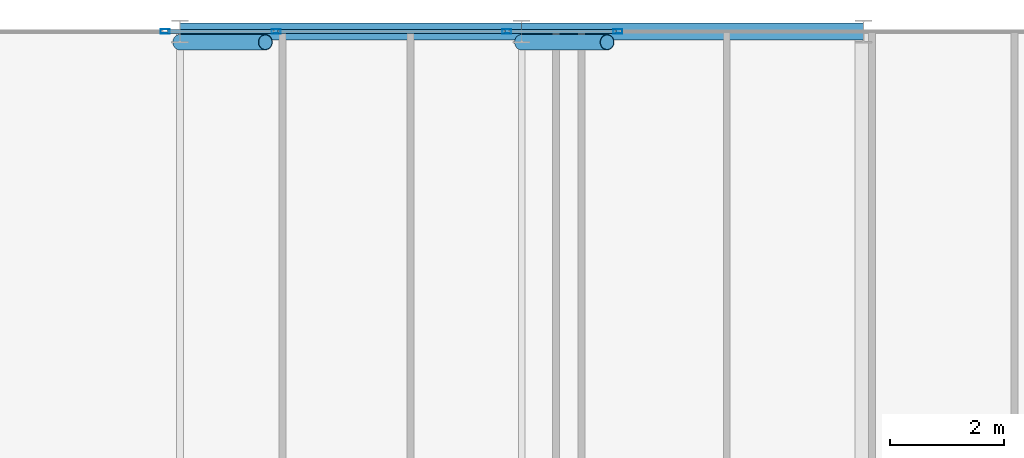
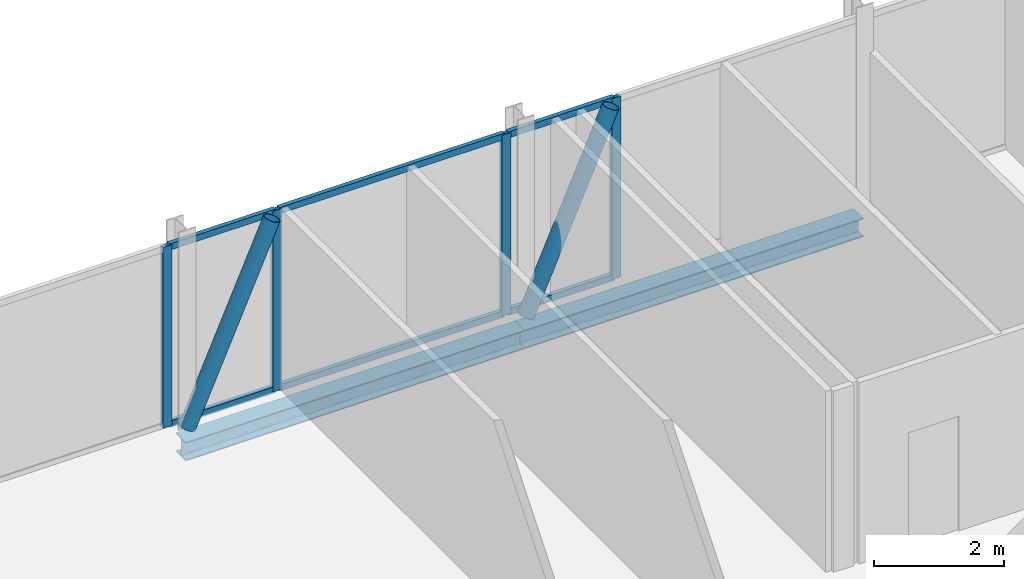
# One storey, part 17 of 27: 12 members, 2 beams, 4 elements without a shape of their own.
"""IFC4 building model written with IfcOpenShell, lengths in metres."""

from ifc_helpers import new_model, si_unit, direction, frame, origin, origin_2d, place, context, subcontext, project, spatial, hollow_rectangle, hollow_circle, i_section, extrude, material, layer, layer_set, material_profile, profile_set, type_object, element, aggregate, save


model = new_model("IFC4")

# Units and contexts
model_context = context("Model", 3, precision=1e-05, world=origin(), true_north=direction((0.0, 1.0)))
body_context = subcontext(model_context, "Body", "Model", "MODEL_VIEW")
ifc_project = project(units=[si_unit("LENGTHUNIT", "METRE"), si_unit("AREAUNIT", "SQUARE_METRE"), si_unit("VOLUMEUNIT", "CUBIC_METRE"), si_unit("PLANEANGLEUNIT", "RADIAN"), si_unit("MASSUNIT", "GRAM", prefix="KILO")], contexts=[model_context])

# Site, building, storey
site_placement = place(None, origin())
site = spatial("IfcSite", under=ifc_project, at=site_placement, CompositionType="ELEMENT")
building_placement = place(site_placement, origin())
building = spatial("IfcBuilding", under=site, at=building_placement, Name="Keshet Zoharim Tower", CompositionType="ELEMENT")
storey_placement = place(building_placement, frame((0.0, 0.0, 291.699951171875)))
storey = spatial("IfcBuildingStorey", under=building, at=storey_placement, Name="L73", CompositionType="ELEMENT", Elevation=291.699951171875)

# Beams
ifc_material_1 = material(Name="Steel S355", Category="steel")
ifc_material_profile_1 = material_profile(ifc_material_1, i_section(OverallWidth=0.300048828125, OverallDepth=0.35009765625, WebThickness=0.010009765625, FlangeThickness=0.017578125, FilletRadius=0.027099609375, at=origin_2d()), Name="HEA360")
ifc_profile_set_1 = profile_set([ifc_material_profile_1], Name="Steel S355")
beam_type = type_object("IfcBeamType", Name="BM-PRI-HA360", PredefinedType="BEAM", material=ifc_profile_set_1)
for number, where, z_axis, x_axis, name in (
    (1, (21.0, 53.89990234375, -0.48486328125), (1.0, 0.0, 0.0), (0.0, 1.0, 0.0), "L73 Primary Girder X-010"),
    (2, (27.0, 53.89990234375, -0.48486328125), (1.0, 0.0, 0.0), (0.0, 1.0, 0.0), "L73 Primary Girder X-011"),
):
    element("IfcBeam", number, at=place(storey_placement, frame(where, z_axis=z_axis, x_axis=x_axis)), inside=storey, type_object=beam_type, Name=name, PredefinedType="BEAM", context=body_context, shape_type="SweptSolid", body=[
        extrude(i_section(OverallWidth=0.300048828125, OverallDepth=0.35009765625, WebThickness=0.010009765625, FlangeThickness=0.017578125, FilletRadius=0.027099609375, at=origin_2d()), origin(), (0.0, 0.0, 1.0), 6.0),
    ])

# Curtain wall, member
ifc_material_2 = material(Name="Aluminium 6063-T6", Category="aluminium")
ifc_layer = layer(ifc_material_2, 0.260009765625)
ifc_layer_set = layer_set([ifc_layer], Name="Aluminium 6063-T6")
curtain_wall_type = type_object("IfcCurtainWallType", Name="CW-SYS-06", PredefinedType="NOTDEFINED", material=ifc_layer_set)
curtain_wall_1_placement = place(storey_placement, origin())
curtain_wall_1 = element("IfcCurtainWall", 3, at=curtain_wall_1_placement, inside=storey, type_object=curtain_wall_type, Name="L73 Unitised Curtain Wall 06", PredefinedType="NOTDEFINED")
ifc_material_profile_2 = material_profile(ifc_material_2, hollow_rectangle(XDim=0.074951171875, YDim=0.159912109375, WallThickness=0.00390625, at=origin_2d()), Name="MUL-75x160")
ifc_profile_set_2 = profile_set([ifc_material_profile_2], Name="Aluminium 6063-T6")
member_type_1 = type_object("IfcMemberType", Name="CWM-M15", PredefinedType="MULLION", material=ifc_profile_set_2)
member_1_placement = place(storey_placement, frame((20.740234375, 53.89990234375, 0.0), z_axis=(0.0, 0.0, 1.0), x_axis=(0.0, 1.0, 0.0)))
member_1 = element("IfcMember", 4, at=member_1_placement, type_object=member_type_1, Name="CW-06 mullion 2", PredefinedType="MULLION", context=body_context, shape_type="SweptSolid", body=[
    extrude(hollow_rectangle(XDim=0.074951171875, YDim=0.159912109375, WallThickness=0.00390625, at=origin_2d()), origin(), (0.0, 0.0, 1.0), 3.39013671875),
])
aggregate(curtain_wall_1, [member_1])

curtain_wall_2_placement = place(storey_placement, origin())
curtain_wall_2 = element("IfcCurtainWall", 5, at=curtain_wall_2_placement, inside=storey, type_object=curtain_wall_type, Name="L73 Unitised Curtain Wall 06 Part 2", PredefinedType="NOTDEFINED")
member_2_placement = place(storey_placement, frame((22.689697265625, 53.89990234375, 0.0), z_axis=(0.0, 0.0, 1.0), x_axis=(0.0, 1.0, 0.0)))
member_2 = element("IfcMember", 6, at=member_2_placement, type_object=member_type_1, Name="CW-06 mullion 2", PredefinedType="MULLION", context=body_context, shape_type="SweptSolid", body=[
    extrude(hollow_rectangle(XDim=0.074951171875, YDim=0.159912109375, WallThickness=0.00390625, at=origin_2d()), origin(), (0.0, 0.0, 1.0), 3.39013671875),
])

curtain_wall_3_placement = place(storey_placement, origin())
curtain_wall_3 = element("IfcCurtainWall", 7, at=curtain_wall_3_placement, inside=storey, type_object=curtain_wall_type, Name="L73 Unitised Curtain Wall 06 Part 3", PredefinedType="NOTDEFINED")
member_3_placement = place(storey_placement, frame((26.740234375, 53.89990234375, 0.0), z_axis=(0.0, 0.0, 1.0), x_axis=(0.0, 1.0, 0.0)))
member_3 = element("IfcMember", 8, at=member_3_placement, type_object=member_type_1, Name="CW-06 mullion 2", PredefinedType="MULLION", context=body_context, shape_type="SweptSolid", body=[
    extrude(hollow_rectangle(XDim=0.074951171875, YDim=0.159912109375, WallThickness=0.00390625, at=origin_2d()), origin(), (0.0, 0.0, 1.0), 3.39013671875),
])

curtain_wall_4_placement = place(storey_placement, origin())
curtain_wall_4 = element("IfcCurtainWall", 9, at=curtain_wall_4_placement, inside=storey, type_object=curtain_wall_type, Name="L73 Unitised Curtain Wall 06 Part 4", PredefinedType="NOTDEFINED")
member_4_placement = place(storey_placement, frame((28.689697265625, 53.89990234375, 0.0), z_axis=(0.0, 0.0, 1.0), x_axis=(0.0, 1.0, 0.0)))
member_4 = element("IfcMember", 10, at=member_4_placement, type_object=member_type_1, Name="CW-06 mullion 2", PredefinedType="MULLION", context=body_context, shape_type="SweptSolid", body=[
    extrude(hollow_rectangle(XDim=0.074951171875, YDim=0.159912109375, WallThickness=0.00390625, at=origin_2d()), origin(), (0.0, 0.0, 1.0), 3.39013671875),
])

# Member
ifc_material_profile_3 = material_profile(ifc_material_2, hollow_rectangle(XDim=0.074951171875, YDim=0.1201171875, WallThickness=0.00390625, at=origin_2d()), Name="TRN-75x120")
ifc_profile_set_3 = profile_set([ifc_material_profile_3], Name="Aluminium 6063-T6")
member_type_2 = type_object("IfcMemberType", Name="CWT-T12", PredefinedType="USERDEFINED", material=ifc_profile_set_3)
member_5_placement = place(storey_placement, frame((20.775146484375, 53.89990234375, 0.03515625), z_axis=(1.0, 0.0, 0.0), x_axis=(0.0, 1.0, 0.0)))
member_5 = element("IfcMember", 11, at=member_5_placement, type_object=member_type_2, Name="CW-06 transom 1.1", ObjectType="TRANSOM", PredefinedType="USERDEFINED", context=body_context, shape_type="SweptSolid", body=[
    extrude(hollow_rectangle(XDim=0.074951171875, YDim=0.1201171875, WallThickness=0.00390625, at=origin_2d()), origin(), (0.0, 0.0, 1.0), 1.879638671875),
])

member_6_placement = place(storey_placement, frame((20.775146484375, 53.89990234375, 3.35498046875), z_axis=(1.0, 0.0, 0.0), x_axis=(0.0, 1.0, 0.0)))
member_6 = element("IfcMember", 12, at=member_6_placement, type_object=member_type_2, Name="CW-06 transom 1.2", ObjectType="TRANSOM", PredefinedType="USERDEFINED", context=body_context, shape_type="SweptSolid", body=[
    extrude(hollow_rectangle(XDim=0.074951171875, YDim=0.1201171875, WallThickness=0.00390625, at=origin_2d()), origin(), (0.0, 0.0, 1.0), 1.879638671875),
])

aggregate(curtain_wall_2, [member_2, member_5, member_6])

member_7_placement = place(storey_placement, frame((22.724853515625, 53.89990234375, 0.03515625), z_axis=(1.0, 0.0, 0.0), x_axis=(0.0, 1.0, 0.0)))
member_7 = element("IfcMember", 13, at=member_7_placement, type_object=member_type_2, Name="CW-06 transom 1.1", ObjectType="TRANSOM", PredefinedType="USERDEFINED", context=body_context, shape_type="SweptSolid", body=[
    extrude(hollow_rectangle(XDim=0.074951171875, YDim=0.1201171875, WallThickness=0.00390625, at=origin_2d()), origin(), (0.0, 0.0, 1.0), 3.980224609375),
])

member_8_placement = place(storey_placement, frame((22.724853515625, 53.89990234375, 3.35498046875), z_axis=(1.0, 0.0, 0.0), x_axis=(0.0, 1.0, 0.0)))
member_8 = element("IfcMember", 14, at=member_8_placement, type_object=member_type_2, Name="CW-06 transom 1.2", ObjectType="TRANSOM", PredefinedType="USERDEFINED", context=body_context, shape_type="SweptSolid", body=[
    extrude(hollow_rectangle(XDim=0.074951171875, YDim=0.1201171875, WallThickness=0.00390625, at=origin_2d()), origin(), (0.0, 0.0, 1.0), 3.980224609375),
])

aggregate(curtain_wall_3, [member_3, member_7, member_8])

member_9_placement = place(storey_placement, frame((26.775146484375, 53.89990234375, 0.03515625), z_axis=(1.0, 0.0, 0.0), x_axis=(0.0, 1.0, 0.0)))
member_9 = element("IfcMember", 15, at=member_9_placement, type_object=member_type_2, Name="CW-06 transom 1.1", ObjectType="TRANSOM", PredefinedType="USERDEFINED", context=body_context, shape_type="SweptSolid", body=[
    extrude(hollow_rectangle(XDim=0.074951171875, YDim=0.1201171875, WallThickness=0.00390625, at=origin_2d()), origin(), (0.0, 0.0, 1.0), 1.879638671875),
])

member_10_placement = place(storey_placement, frame((26.775146484375, 53.89990234375, 3.35498046875), z_axis=(1.0, 0.0, 0.0), x_axis=(0.0, 1.0, 0.0)))
member_10 = element("IfcMember", 16, at=member_10_placement, type_object=member_type_2, Name="CW-06 transom 1.2", ObjectType="TRANSOM", PredefinedType="USERDEFINED", context=body_context, shape_type="SweptSolid", body=[
    extrude(hollow_rectangle(XDim=0.074951171875, YDim=0.1201171875, WallThickness=0.00390625, at=origin_2d()), origin(), (0.0, 0.0, 1.0), 1.879638671875),
])

aggregate(curtain_wall_4, [member_4, member_9, member_10])

# Members
ifc_material_profile_4 = material_profile(ifc_material_1, hollow_circle(Radius=0.136474609375, WallThickness=0.010009765625, at=origin_2d()), Name="CHS273x10")
ifc_profile_set_4 = profile_set([ifc_material_profile_4], Name="Steel S355")
member_type_3 = type_object("IfcMemberType", Name="MB-BR-C273", PredefinedType="BRACE", material=ifc_profile_set_4)
for number, where, z_axis, x_axis, name in (
    (17, (21.0, 53.7099609375, 0.0), (0.404622528463, 0.0, 0.914483793984), (0.0, 1.0, 0.0), "L73 Perimeter Tube Brace 03"),
    (18, (27.0, 53.7099609375, 0.0), (0.404622528463, 0.0, 0.914483793984), (0.0, 1.0, 0.0), "L73 Perimeter Tube Brace 04"),
):
    element("IfcMember", number, at=place(storey_placement, frame(where, z_axis=z_axis, x_axis=x_axis)), inside=storey, type_object=member_type_3, Name=name, PredefinedType="BRACE", context=body_context, shape_type="SweptSolid", body=[
        extrude(hollow_circle(Radius=0.136474609375, WallThickness=0.010009765625, at=origin_2d()), origin(), (0.0, 0.0, 1.0), 3.707275390625),
    ])

save(model, "model.ifc")
